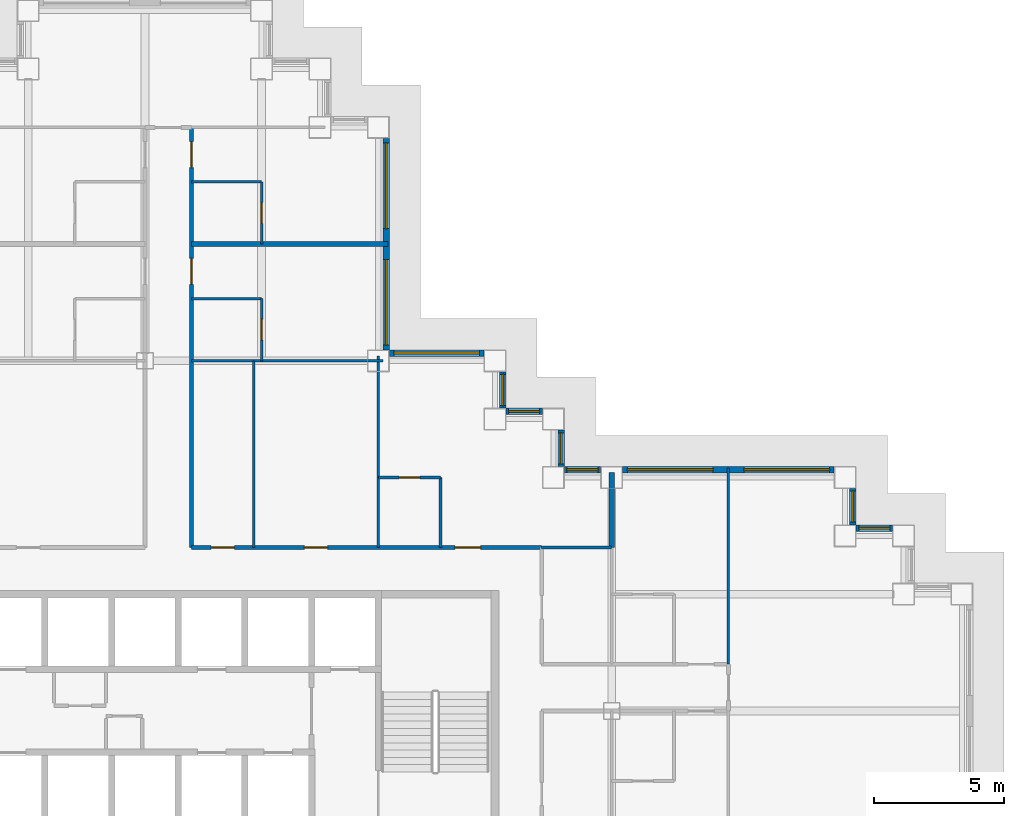
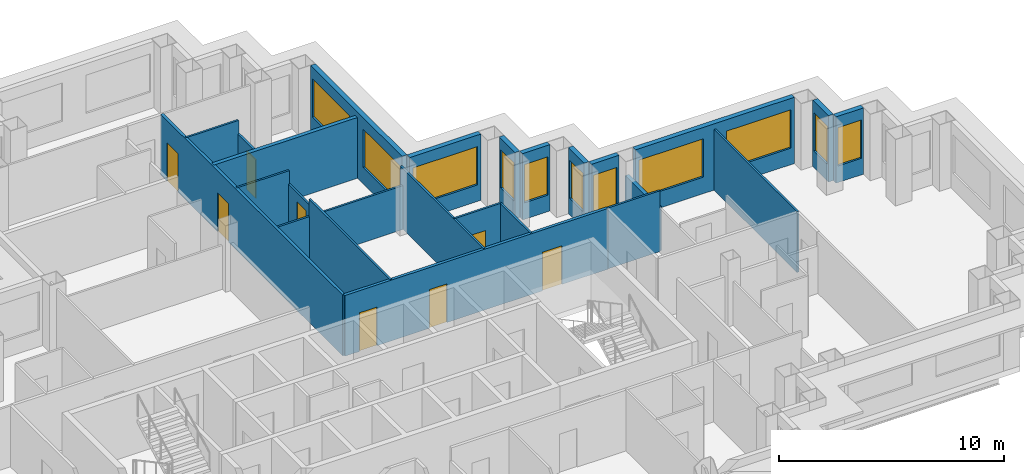
# One storey, part 10 of 16: 24 walls, 11 windows, 8 doors, 19 openings.
"""IFC4 building model written with IfcOpenShell, lengths in metres."""

from ifc_helpers import new_model, si_unit, direction, frame, frame_2d, origin, place, context, subcontext, project, spatial, rectangle, extrude, material, layer, layer_set, type_object, element, fill, save


model = new_model("IFC4")

# Units and contexts
model_context = context("Model", 3, precision=1e-05, world=origin(), true_north=direction((0.0, 1.0)))
body_context = subcontext(model_context, "Body", "Model", "MODEL_VIEW")
ifc_project = project(units=[si_unit("LENGTHUNIT", "METRE"), si_unit("AREAUNIT", "SQUARE_METRE"), si_unit("VOLUMEUNIT", "CUBIC_METRE"), si_unit("PLANEANGLEUNIT", "RADIAN"), si_unit("MASSUNIT", "GRAM", prefix="KILO")], contexts=[model_context])

# Site, building, storey
site_placement = place(None, origin())
site = spatial("IfcSite", under=ifc_project, at=site_placement, CompositionType="ELEMENT")
building_placement = place(site_placement, origin())
building = spatial("IfcBuilding", under=site, at=building_placement, Name="Caravel Reach Hotel and Residences", CompositionType="ELEMENT")
storey_placement = place(building_placement, frame((0.0, 0.0, 133.199951171875)))
storey = spatial("IfcBuildingStorey", under=building, at=storey_placement, Name="L33", CompositionType="ELEMENT", Elevation=133.199951171875)

# Wall, opening, door
ifc_material_1 = material(Name="Gypsum board on steel stud", Category="steel")
ifc_layer_1 = layer(ifc_material_1, 0.10009765625)
ifc_layer_set_1 = layer_set([ifc_layer_1], Name="Bathroom pod wall 100 mm")
wall_type_1 = type_object("IfcWallType", Name="Bathroom pod wall 100 mm", PredefinedType="PARTITIONING", material=ifc_layer_set_1)
wall_1_placement = place(storey_placement, frame((40.5, 36.0, 0.0), z_axis=(0.0, 0.0, 1.0), x_axis=(1.0, 0.0, 0.0)))
wall_1 = element("IfcWall", 1, at=wall_1_placement, inside=storey, type_object=wall_type_1, Name="L33 wall w093", PredefinedType="PARTITIONING", context=body_context, shape_type="SweptSolid", body=[
    extrude(rectangle(XDim=2.39990234375, YDim=0.10009765625, at=frame_2d((1.199951171875, 0.0))), origin(), (0.0, 0.0, 1.0), 3.300048828125),
])
opening_1_placement = place(wall_1_placement, frame((0.800048828125, 0.0, 0.0)))
opening_1 = element("IfcOpeningElement", 2, at=opening_1_placement, cuts=wall_1, Name="Opening D33-051", PredefinedType="OPENING", context=body_context, shape_type="SweptSolid", body=[
    extrude(rectangle(XDim=0.800048828125, YDim=2.10009765625, at=frame_2d((0.39990234375, 1.050048828125))), frame((0.0, 0.06005859375, 0.0), z_axis=(0.0, -1.0, 0.0), x_axis=(1.0, 0.0, 0.0)), (0.0, 0.0, 1.0), 0.1201171875),
])
ifc_material_2 = material(Name="Timber and steel door leaf", Category="steel")
door_type_1 = type_object("IfcDoorType", Name="Bathroom door 800 x 2100", OperationType="SINGLE_SWING_LEFT", PredefinedType="DOOR", material=ifc_material_2)
door_1_placement = place(opening_1_placement, origin())
door_1 = element("IfcDoor", 3, at=door_1_placement, inside=storey, type_object=door_type_1, Name="door D33-051", OperationType="SINGLE_SWING_LEFT", OverallHeight=2.10009765625, OverallWidth=0.800048828125, PredefinedType="DOOR", context=body_context, shape_type="SweptSolid", body=[
    extrude(rectangle(XDim=0.800048828125, YDim=2.10009765625, at=frame_2d((0.39990234375, 1.050048828125))), frame((0.0, 0.02490234375, 0.0), z_axis=(0.0, -1.0, 0.0), x_axis=(1.0, 0.0, 0.0)), (0.0, 0.0, 1.0), 0.050048828125),
])
fill(opening_1, door_1)

# Walls
for number, where, z_axis, x_axis, name in (
    (4, (33.300048828125, 42.89990234375, 0.0), (0.0, 0.0, 1.0), (1.0, 0.0, 0.0), "L33 wall w094"),
    (5, (33.300048828125, 47.39990234375, 0.0), (0.0, 0.0, 1.0), (1.0, 0.0, 0.0), "L33 wall w096"),
):
    element("IfcWall", number, at=place(storey_placement, frame(where, z_axis=z_axis, x_axis=x_axis)), inside=storey, type_object=wall_type_1, Name=name, PredefinedType="PARTITIONING", context=body_context, shape_type="SweptSolid", body=[
        extrude(rectangle(XDim=2.699951171875, YDim=0.10009765625, at=frame_2d((1.35009765625, 0.0))), origin(), (0.0, 0.0, 1.0), 3.300048828125),
    ])

# Wall, opening, door
wall_2_placement = place(storey_placement, frame((36.0, 40.5, 0.0), z_axis=(0.0, 0.0, 1.0), x_axis=(0.0, 1.0, 0.0)))
wall_2 = element("IfcWall", 6, at=wall_2_placement, inside=storey, type_object=wall_type_1, Name="L33 wall w113", PredefinedType="PARTITIONING", context=body_context, shape_type="SweptSolid", body=[
    extrude(rectangle(XDim=2.39990234375, YDim=0.10009765625, at=frame_2d((1.199951171875, 0.0))), origin(), (0.0, 0.0, 1.0), 2.580078125),
])
opening_2_placement = place(wall_2_placement, frame((0.800048828125, 0.0, 0.0)))
opening_2 = element("IfcOpeningElement", 7, at=opening_2_placement, cuts=wall_2, Name="Opening D33-032", PredefinedType="OPENING", context=body_context, shape_type="SweptSolid", body=[
    extrude(rectangle(XDim=0.800048828125, YDim=2.10009765625, at=frame_2d((0.39990234375, 1.050048828125))), frame((0.0, 0.06005859375, 0.0), z_axis=(0.0, -1.0, 0.0), x_axis=(1.0, 0.0, 0.0)), (0.0, 0.0, 1.0), 0.1201171875),
])
door_2_placement = place(opening_2_placement, origin())
door_2 = element("IfcDoor", 8, at=door_2_placement, inside=storey, type_object=door_type_1, Name="door D33-032", OperationType="SINGLE_SWING_LEFT", OverallHeight=2.10009765625, OverallWidth=0.800048828125, PredefinedType="DOOR", context=body_context, shape_type="SweptSolid", body=[
    extrude(rectangle(XDim=0.800048828125, YDim=2.10009765625, at=frame_2d((0.39990234375, 1.050048828125))), frame((0.0, 0.02490234375, 0.0), z_axis=(0.0, -1.0, 0.0), x_axis=(1.0, 0.0, 0.0)), (0.0, 0.0, 1.0), 0.050048828125),
])
fill(opening_2, door_2)

wall_3_placement = place(storey_placement, frame((36.0, 45.0, 0.0), z_axis=(0.0, 0.0, 1.0), x_axis=(0.0, 1.0, 0.0)))
wall_3 = element("IfcWall", 9, at=wall_3_placement, inside=storey, type_object=wall_type_1, Name="L33 wall w114", PredefinedType="PARTITIONING", context=body_context, shape_type="SweptSolid", body=[
    extrude(rectangle(XDim=2.39990234375, YDim=0.10009765625, at=frame_2d((1.199951171875, 0.0))), origin(), (0.0, 0.0, 1.0), 2.580078125),
])
opening_3_placement = place(wall_3_placement, frame((0.800048828125, 0.0, 0.0)))
opening_3 = element("IfcOpeningElement", 10, at=opening_3_placement, cuts=wall_3, Name="Opening D33-034", PredefinedType="OPENING", context=body_context, shape_type="SweptSolid", body=[
    extrude(rectangle(XDim=0.800048828125, YDim=2.10009765625, at=frame_2d((0.39990234375, 1.050048828125))), frame((0.0, 0.06005859375, 0.0), z_axis=(0.0, -1.0, 0.0), x_axis=(1.0, 0.0, 0.0)), (0.0, 0.0, 1.0), 0.1201171875),
])
door_3_placement = place(opening_3_placement, origin())
door_3 = element("IfcDoor", 11, at=door_3_placement, inside=storey, type_object=door_type_1, Name="door D33-034", OperationType="SINGLE_SWING_RIGHT", OverallHeight=2.10009765625, OverallWidth=0.800048828125, PredefinedType="DOOR", context=body_context, shape_type="SweptSolid", body=[
    extrude(rectangle(XDim=0.800048828125, YDim=2.10009765625, at=frame_2d((0.39990234375, 1.050048828125))), frame((0.0, 0.02490234375, 0.0), z_axis=(0.0, -1.0, 0.0), x_axis=(1.0, 0.0, 0.0)), (0.0, 0.0, 1.0), 0.050048828125),
])
fill(opening_3, door_3)

# Wall
wall_4_placement = place(storey_placement, frame((42.89990234375, 33.300048828125, 0.0), z_axis=(0.0, 0.0, 1.0), x_axis=(0.0, 1.0, 0.0)))
element("IfcWall", 12, at=wall_4_placement, inside=storey, type_object=wall_type_1, Name="L33 wall w115", PredefinedType="PARTITIONING", context=body_context, shape_type="SweptSolid", body=[
    extrude(rectangle(XDim=2.699951171875, YDim=0.10009765625, at=frame_2d((1.35009765625, 0.0))), origin(), (0.0, 0.0, 1.0), 3.300048828125),
])

# Wall, openings, doors
ifc_material_3 = material(Name="Gypsum board on steel stud, fire-rated", Category="steel")
ifc_layer_2 = layer(ifc_material_3, 0.14990234375)
ifc_layer_set_2 = layer_set([ifc_layer_2], Name="Corridor wall 150 mm EI 60")
wall_type_2 = type_object("IfcWallType", Name="Corridor wall 150 mm EI 60", PredefinedType="PARTITIONING", material=ifc_layer_set_2)
wall_5_placement = place(storey_placement, frame((33.300048828125, 33.300048828125, 0.0), z_axis=(0.0, 0.0, 1.0), x_axis=(1.0, 0.0, 0.0)))
wall_5 = element("IfcWall", 13, at=wall_5_placement, inside=storey, type_object=wall_type_2, Name="L33 wall w020", PredefinedType="PARTITIONING", context=body_context, shape_type="SweptSolid", body=[
    extrude(rectangle(XDim=13.5, YDim=0.14990234375, at=frame_2d((6.75, 0.0))), origin(), (0.0, 0.0, 1.0), 3.300048828125),
])
opening_4_placement = place(wall_5_placement, frame((10.14990234375, 0.0, 0.0)))
opening_4 = element("IfcOpeningElement", 14, at=opening_4_placement, cuts=wall_5, Name="Opening D33-050", PredefinedType="OPENING", context=body_context, shape_type="SweptSolid", body=[
    extrude(rectangle(XDim=1.0, YDim=2.10009765625, at=frame_2d((0.5, 1.050048828125))), frame((0.0, 0.0849609375, 0.0), z_axis=(0.0, -1.0, 0.0), x_axis=(1.0, 0.0, 0.0)), (0.0, 0.0, 1.0), 0.169921875),
])
opening_5_placement = place(wall_5_placement, frame((0.75, 0.0, 0.0)))
opening_5 = element("IfcOpeningElement", 15, at=opening_5_placement, cuts=wall_5, Name="Opening D33-058", PredefinedType="OPENING", context=body_context, shape_type="SweptSolid", body=[
    extrude(rectangle(XDim=0.89990234375, YDim=2.10009765625, at=frame_2d((0.449951171875, 1.050048828125))), frame((0.0, 0.0849609375, 0.0), z_axis=(0.0, -1.0, 0.0), x_axis=(1.0, 0.0, 0.0)), (0.0, 0.0, 1.0), 0.169921875),
])
opening_6_placement = place(wall_5_placement, frame((4.349853515625, 0.0, 0.0)))
opening_6 = element("IfcOpeningElement", 16, at=opening_6_placement, cuts=wall_5, Name="Opening D33-059", PredefinedType="OPENING", context=body_context, shape_type="SweptSolid", body=[
    extrude(rectangle(XDim=0.89990234375, YDim=2.10009765625, at=frame_2d((0.449951171875, 1.050048828125))), frame((0.0, 0.0849609375, 0.0), z_axis=(0.0, -1.0, 0.0), x_axis=(1.0, 0.0, 0.0)), (0.0, 0.0, 1.0), 0.169921875),
])
ifc_material_4 = material(Name="Timber and steel door leaf", Category="steel")
door_type_2 = type_object("IfcDoorType", Name="Door 900 x 2100 timber", OperationType="SINGLE_SWING_LEFT", PredefinedType="DOOR", material=ifc_material_4)
door_4_placement = place(opening_5_placement, origin())
door_4 = element("IfcDoor", 17, at=door_4_placement, inside=storey, type_object=door_type_2, Name="door D33-058", OperationType="SINGLE_SWING_RIGHT", OverallHeight=2.10009765625, OverallWidth=0.89990234375, PredefinedType="DOOR", context=body_context, shape_type="SweptSolid", body=[
    extrude(rectangle(XDim=0.89990234375, YDim=2.10009765625, at=frame_2d((0.449951171875, 1.050048828125))), frame((0.0, 0.02490234375, 0.0), z_axis=(0.0, -1.0, 0.0), x_axis=(1.0, 0.0, 0.0)), (0.0, 0.0, 1.0), 0.050048828125),
])
fill(opening_5, door_4)
door_5_placement = place(opening_6_placement, origin())
door_5 = element("IfcDoor", 18, at=door_5_placement, inside=storey, type_object=door_type_2, Name="door D33-059", OperationType="SINGLE_SWING_LEFT", OverallHeight=2.10009765625, OverallWidth=0.89990234375, PredefinedType="DOOR", context=body_context, shape_type="SweptSolid", body=[
    extrude(rectangle(XDim=0.89990234375, YDim=2.10009765625, at=frame_2d((0.449951171875, 1.050048828125))), frame((0.0, 0.02490234375, 0.0), z_axis=(0.0, -1.0, 0.0), x_axis=(1.0, 0.0, 0.0)), (0.0, 0.0, 1.0), 0.050048828125),
])
fill(opening_6, door_5)
ifc_material_5 = material(Name="Steel fire door leaf", Category="steel")
door_type_3 = type_object("IfcDoorType", Name="Guest room door 1000 x 2100 EI 30", OperationType="SINGLE_SWING_LEFT", PredefinedType="DOOR", material=ifc_material_5)
door_6_placement = place(opening_4_placement, origin())
door_6 = element("IfcDoor", 19, at=door_6_placement, inside=storey, type_object=door_type_3, Name="door D33-050", OperationType="SINGLE_SWING_RIGHT", OverallHeight=2.10009765625, OverallWidth=1.0, PredefinedType="DOOR", context=body_context, shape_type="SweptSolid", body=[
    extrude(rectangle(XDim=1.0, YDim=2.10009765625, at=frame_2d((0.5, 1.050048828125))), frame((0.0, 0.02490234375, 0.0), z_axis=(0.0, -1.0, 0.0), x_axis=(1.0, 0.0, 0.0)), (0.0, 0.0, 1.0), 0.050048828125),
])
fill(opening_4, door_6)

wall_6_placement = place(storey_placement, frame((33.300048828125, 33.300048828125, 0.0), z_axis=(0.0, 0.0, 1.0), x_axis=(0.0, 1.0, 0.0)))
wall_6 = element("IfcWall", 20, at=wall_6_placement, inside=storey, type_object=wall_type_2, Name="L33 wall w037", PredefinedType="PARTITIONING", context=body_context, shape_type="SweptSolid", body=[
    extrude(rectangle(XDim=16.199951171875, YDim=0.14990234375, at=frame_2d((8.10009765625, 0.0))), origin(), (0.0, 0.0, 1.0), 3.300048828125),
])
opening_7_placement = place(wall_6_placement, frame((10.14990234375, 0.0, 0.0)))
opening_7 = element("IfcOpeningElement", 21, at=opening_7_placement, cuts=wall_6, Name="Opening D33-031", PredefinedType="OPENING", context=body_context, shape_type="SweptSolid", body=[
    extrude(rectangle(XDim=1.0, YDim=2.10009765625, at=frame_2d((0.5, 1.050048828125))), frame((0.0, 0.0849609375, 0.0), z_axis=(0.0, -1.0, 0.0), x_axis=(1.0, 0.0, 0.0)), (0.0, 0.0, 1.0), 0.169921875),
])
opening_8_placement = place(wall_6_placement, frame((14.64990234375, 0.0, 0.0)))
opening_8 = element("IfcOpeningElement", 22, at=opening_8_placement, cuts=wall_6, Name="Opening D33-033", PredefinedType="OPENING", context=body_context, shape_type="SweptSolid", body=[
    extrude(rectangle(XDim=1.0, YDim=2.10009765625, at=frame_2d((0.5, 1.050048828125))), frame((0.0, 0.0849609375, 0.0), z_axis=(0.0, -1.0, 0.0), x_axis=(1.0, 0.0, 0.0)), (0.0, 0.0, 1.0), 0.169921875),
])
door_7_placement = place(opening_7_placement, origin())
door_7 = element("IfcDoor", 23, at=door_7_placement, inside=storey, type_object=door_type_3, Name="door D33-031", OperationType="SINGLE_SWING_RIGHT", OverallHeight=2.10009765625, OverallWidth=1.0, PredefinedType="DOOR", context=body_context, shape_type="SweptSolid", body=[
    extrude(rectangle(XDim=1.0, YDim=2.10009765625, at=frame_2d((0.5, 1.050048828125))), frame((0.0, 0.02490234375, 0.0), z_axis=(0.0, -1.0, 0.0), x_axis=(1.0, 0.0, 0.0)), (0.0, 0.0, 1.0), 0.050048828125),
])
fill(opening_7, door_7)
door_8_placement = place(opening_8_placement, origin())
door_8 = element("IfcDoor", 24, at=door_8_placement, inside=storey, type_object=door_type_3, Name="door D33-033", OperationType="SINGLE_SWING_RIGHT", OverallHeight=2.10009765625, OverallWidth=1.0, PredefinedType="DOOR", context=body_context, shape_type="SweptSolid", body=[
    extrude(rectangle(XDim=1.0, YDim=2.10009765625, at=frame_2d((0.5, 1.050048828125))), frame((0.0, 0.02490234375, 0.0), z_axis=(0.0, -1.0, 0.0), x_axis=(1.0, 0.0, 0.0)), (0.0, 0.0, 1.0), 0.050048828125),
])
fill(opening_8, door_8)

# Wall, opening, window
ifc_material_6 = material(Name="Insulated rainscreen wall, aluminium cladding", Category="aluminium")
ifc_layer_3 = layer(ifc_material_6, 0.25)
ifc_layer_set_3 = layer_set([ifc_layer_3], Name="EW1 Tower rainscreen wall")
wall_type_3 = type_object("IfcWallType", Name="EW1 Tower rainscreen wall", PredefinedType="SOLIDWALL", material=ifc_layer_set_3)
wall_7_placement = place(storey_placement, frame((60.324951171875, 34.050048828125, 0.0), z_axis=(0.0, 0.0, 1.0), x_axis=(-1.0, 0.0, 0.0)))
wall_7 = element("IfcWall", 25, at=wall_7_placement, inside=storey, type_object=wall_type_3, Name="External wall L33 N23.1", PredefinedType="SOLIDWALL", context=body_context, shape_type="SweptSolid", body=[
    extrude(rectangle(XDim=1.39990234375, YDim=0.25, at=frame_2d((0.699951171875, 0.0))), origin(), (0.0, 0.0, 1.0), 3.60009765625),
])
opening_9_placement = place(wall_7_placement, frame((0.10009765625, 0.0, 0.89990234375)))
opening_9 = element("IfcOpeningElement", 26, at=opening_9_placement, cuts=wall_7, Name="Opening WN9", PredefinedType="OPENING", context=body_context, shape_type="SweptSolid", body=[
    extrude(rectangle(XDim=1.199951171875, YDim=2.080078125, at=frame_2d((0.60009765625, 1.0400390625))), frame((0.0, 0.135009765625, 0.0), z_axis=(0.0, -1.0, 0.0), x_axis=(1.0, 0.0, 0.0)), (0.0, 0.0, 1.0), 0.27001953125),
])
ifc_material_7 = material(Name="Dark low-e glazing in black aluminium frame", Category="aluminium")
window_type_1 = type_object("IfcWindowType", Name="Hotel suite corner window 1200 x 2080", PartitioningType="SINGLE_PANEL", PredefinedType="WINDOW", material=ifc_material_7)
window_1_placement = place(opening_9_placement, origin())
window_1 = element("IfcWindow", 27, at=window_1_placement, inside=storey, type_object=window_type_1, Name="Window L33 N23.1.1", OverallHeight=2.080078125, OverallWidth=1.199951171875, PartitioningType="SINGLE_PANEL", PredefinedType="WINDOW", context=body_context, shape_type="SweptSolid", body=[
    extrude(rectangle(XDim=1.199951171875, YDim=2.080078125, at=frame_2d((0.60009765625, 1.0400390625))), frame((0.0, 0.030029296875, 0.0), z_axis=(0.0, -1.0, 0.0), x_axis=(1.0, 0.0, 0.0)), (0.0, 0.0, 1.0), 0.06005859375),
])
fill(opening_9, window_1)

wall_8_placement = place(storey_placement, frame((58.800048828125, 34.175048828125, 0.0), z_axis=(0.0, 0.0, 1.0), x_axis=(0.0, 1.0, 0.0)))
wall_8 = element("IfcWall", 28, at=wall_8_placement, inside=storey, type_object=wall_type_3, Name="External wall L33 E24.1", PredefinedType="SOLIDWALL", context=body_context, shape_type="SweptSolid", body=[
    extrude(rectangle(XDim=1.39990234375, YDim=0.25, at=frame_2d((0.699951171875, 0.0))), origin(), (0.0, 0.0, 1.0), 3.60009765625),
])
opening_10_placement = place(wall_8_placement, frame((0.10009765625, 0.0, 0.89990234375)))
opening_10 = element("IfcOpeningElement", 29, at=opening_10_placement, cuts=wall_8, Name="Opening WN9", PredefinedType="OPENING", context=body_context, shape_type="SweptSolid", body=[
    extrude(rectangle(XDim=1.199951171875, YDim=2.080078125, at=frame_2d((0.60009765625, 1.0400390625))), frame((0.0, 0.135009765625, 0.0), z_axis=(0.0, -1.0, 0.0), x_axis=(1.0, 0.0, 0.0)), (0.0, 0.0, 1.0), 0.27001953125),
])
window_2_placement = place(opening_10_placement, origin())
window_2 = element("IfcWindow", 30, at=window_2_placement, inside=storey, type_object=window_type_1, Name="Window L33 E24.1.1", OverallHeight=2.080078125, OverallWidth=1.199951171875, PartitioningType="SINGLE_PANEL", PredefinedType="WINDOW", context=body_context, shape_type="SweptSolid", body=[
    extrude(rectangle(XDim=1.199951171875, YDim=2.080078125, at=frame_2d((0.60009765625, 1.0400390625))), frame((0.0, 0.030029296875, 0.0), z_axis=(0.0, -1.0, 0.0), x_axis=(1.0, 0.0, 0.0)), (0.0, 0.0, 1.0), 0.06005859375),
])
fill(opening_10, window_2)

# Wall, openings, windows
wall_9_placement = place(storey_placement, frame((58.074951171875, 36.300048828125, 0.0), z_axis=(0.0, 0.0, 1.0), x_axis=(-1.0, 0.0, 0.0)))
wall_9 = element("IfcWall", 31, at=wall_9_placement, inside=storey, type_object=wall_type_3, Name="External wall L33 N25.1", PredefinedType="SOLIDWALL", context=body_context, shape_type="SweptSolid", body=[
    extrude(rectangle(XDim=8.14990234375, YDim=0.25, at=frame_2d((4.074951171875, 0.0))), origin(), (0.0, 0.0, 1.0), 3.60009765625),
])
opening_11_placement = place(wall_9_placement, frame((0.175048828125, 0.0, 0.89990234375)))
opening_11 = element("IfcOpeningElement", 32, at=opening_11_placement, cuts=wall_9, Name="Opening WN4", PredefinedType="OPENING", context=body_context, shape_type="SweptSolid", body=[
    extrude(rectangle(XDim=3.300048828125, YDim=2.080078125, at=frame_2d((1.64990234375, 1.0400390625))), frame((0.0, 0.135009765625, 0.0), z_axis=(0.0, -1.0, 0.0), x_axis=(1.0, 0.0, 0.0)), (0.0, 0.0, 1.0), 0.27001953125),
])
opening_12_placement = place(wall_9_placement, frame((4.675048828125, 0.0, 0.89990234375)))
opening_12 = element("IfcOpeningElement", 33, at=opening_12_placement, cuts=wall_9, Name="Opening WN4", PredefinedType="OPENING", context=body_context, shape_type="SweptSolid", body=[
    extrude(rectangle(XDim=3.300048828125, YDim=2.080078125, at=frame_2d((1.64990234375, 1.0400390625))), frame((0.0, 0.135009765625, 0.0), z_axis=(0.0, -1.0, 0.0), x_axis=(1.0, 0.0, 0.0)), (0.0, 0.0, 1.0), 0.27001953125),
])
ifc_material_8 = material(Name="Dark low-e glazing in black aluminium frame", Category="aluminium")
window_type_2 = type_object("IfcWindowType", Name="Hotel guest room window 3300 x 2080", PartitioningType="SINGLE_PANEL", PredefinedType="WINDOW", material=ifc_material_8)
window_3_placement = place(opening_11_placement, origin())
window_3 = element("IfcWindow", 34, at=window_3_placement, inside=storey, type_object=window_type_2, Name="Window L33 N25.1.1", OverallHeight=2.080078125, OverallWidth=3.300048828125, PartitioningType="SINGLE_PANEL", PredefinedType="WINDOW", context=body_context, shape_type="SweptSolid", body=[
    extrude(rectangle(XDim=3.300048828125, YDim=2.080078125, at=frame_2d((1.64990234375, 1.0400390625))), frame((0.0, 0.030029296875, 0.0), z_axis=(0.0, -1.0, 0.0), x_axis=(1.0, 0.0, 0.0)), (0.0, 0.0, 1.0), 0.06005859375),
])
fill(opening_11, window_3)
window_4_placement = place(opening_12_placement, origin())
window_4 = element("IfcWindow", 35, at=window_4_placement, inside=storey, type_object=window_type_2, Name="Window L33 N25.1.2", OverallHeight=2.080078125, OverallWidth=3.300048828125, PartitioningType="SINGLE_PANEL", PredefinedType="WINDOW", context=body_context, shape_type="SweptSolid", body=[
    extrude(rectangle(XDim=3.300048828125, YDim=2.080078125, at=frame_2d((1.64990234375, 1.0400390625))), frame((0.0, 0.030029296875, 0.0), z_axis=(0.0, -1.0, 0.0), x_axis=(1.0, 0.0, 0.0)), (0.0, 0.0, 1.0), 0.06005859375),
])
fill(opening_12, window_4)

# Wall, opening, window
wall_10_placement = place(storey_placement, frame((49.074951171875, 36.300048828125, 0.0), z_axis=(0.0, 0.0, 1.0), x_axis=(-1.0, 0.0, 0.0)))
wall_10 = element("IfcWall", 36, at=wall_10_placement, inside=storey, type_object=wall_type_3, Name="External wall L33 N25.2", PredefinedType="SOLIDWALL", context=body_context, shape_type="SweptSolid", body=[
    extrude(rectangle(XDim=1.39990234375, YDim=0.25, at=frame_2d((0.699951171875, 0.0))), origin(), (0.0, 0.0, 1.0), 3.60009765625),
])
opening_13_placement = place(wall_10_placement, frame((0.10009765625, 0.0, 0.89990234375)))
opening_13 = element("IfcOpeningElement", 37, at=opening_13_placement, cuts=wall_10, Name="Opening WN9", PredefinedType="OPENING", context=body_context, shape_type="SweptSolid", body=[
    extrude(rectangle(XDim=1.199951171875, YDim=2.080078125, at=frame_2d((0.60009765625, 1.0400390625))), frame((0.0, 0.135009765625, 0.0), z_axis=(0.0, -1.0, 0.0), x_axis=(1.0, 0.0, 0.0)), (0.0, 0.0, 1.0), 0.27001953125),
])
window_5_placement = place(opening_13_placement, origin())
window_5 = element("IfcWindow", 38, at=window_5_placement, inside=storey, type_object=window_type_1, Name="Window L33 N25.2.1", OverallHeight=2.080078125, OverallWidth=1.199951171875, PartitioningType="SINGLE_PANEL", PredefinedType="WINDOW", context=body_context, shape_type="SweptSolid", body=[
    extrude(rectangle(XDim=1.199951171875, YDim=2.080078125, at=frame_2d((0.60009765625, 1.0400390625))), frame((0.0, 0.030029296875, 0.0), z_axis=(0.0, -1.0, 0.0), x_axis=(1.0, 0.0, 0.0)), (0.0, 0.0, 1.0), 0.06005859375),
])
fill(opening_13, window_5)

wall_11_placement = place(storey_placement, frame((47.550048828125, 36.425048828125, 0.0), z_axis=(0.0, 0.0, 1.0), x_axis=(0.0, 1.0, 0.0)))
wall_11 = element("IfcWall", 39, at=wall_11_placement, inside=storey, type_object=wall_type_3, Name="External wall L33 E26.1", PredefinedType="SOLIDWALL", context=body_context, shape_type="SweptSolid", body=[
    extrude(rectangle(XDim=1.39990234375, YDim=0.25, at=frame_2d((0.699951171875, 0.0))), origin(), (0.0, 0.0, 1.0), 3.60009765625),
])
opening_14_placement = place(wall_11_placement, frame((0.10009765625, 0.0, 0.89990234375)))
opening_14 = element("IfcOpeningElement", 40, at=opening_14_placement, cuts=wall_11, Name="Opening WN9", PredefinedType="OPENING", context=body_context, shape_type="SweptSolid", body=[
    extrude(rectangle(XDim=1.199951171875, YDim=2.080078125, at=frame_2d((0.60009765625, 1.0400390625))), frame((0.0, 0.135009765625, 0.0), z_axis=(0.0, -1.0, 0.0), x_axis=(1.0, 0.0, 0.0)), (0.0, 0.0, 1.0), 0.27001953125),
])
window_6_placement = place(opening_14_placement, origin())
window_6 = element("IfcWindow", 41, at=window_6_placement, inside=storey, type_object=window_type_1, Name="Window L33 E26.1.1", OverallHeight=2.080078125, OverallWidth=1.199951171875, PartitioningType="SINGLE_PANEL", PredefinedType="WINDOW", context=body_context, shape_type="SweptSolid", body=[
    extrude(rectangle(XDim=1.199951171875, YDim=2.080078125, at=frame_2d((0.60009765625, 1.0400390625))), frame((0.0, 0.030029296875, 0.0), z_axis=(0.0, -1.0, 0.0), x_axis=(1.0, 0.0, 0.0)), (0.0, 0.0, 1.0), 0.06005859375),
])
fill(opening_14, window_6)

wall_12_placement = place(storey_placement, frame((46.824951171875, 38.550048828125, 0.0), z_axis=(0.0, 0.0, 1.0), x_axis=(-1.0, 0.0, 0.0)))
wall_12 = element("IfcWall", 42, at=wall_12_placement, inside=storey, type_object=wall_type_3, Name="External wall L33 N27.1", PredefinedType="SOLIDWALL", context=body_context, shape_type="SweptSolid", body=[
    extrude(rectangle(XDim=1.39990234375, YDim=0.25, at=frame_2d((0.699951171875, 0.0))), origin(), (0.0, 0.0, 1.0), 3.60009765625),
])
opening_15_placement = place(wall_12_placement, frame((0.10009765625, 0.0, 0.89990234375)))
opening_15 = element("IfcOpeningElement", 43, at=opening_15_placement, cuts=wall_12, Name="Opening WN9", PredefinedType="OPENING", context=body_context, shape_type="SweptSolid", body=[
    extrude(rectangle(XDim=1.199951171875, YDim=2.080078125, at=frame_2d((0.60009765625, 1.0400390625))), frame((0.0, 0.135009765625, 0.0), z_axis=(0.0, -1.0, 0.0), x_axis=(1.0, 0.0, 0.0)), (0.0, 0.0, 1.0), 0.27001953125),
])
window_7_placement = place(opening_15_placement, origin())
window_7 = element("IfcWindow", 44, at=window_7_placement, inside=storey, type_object=window_type_1, Name="Window L33 N27.1.1", OverallHeight=2.080078125, OverallWidth=1.199951171875, PartitioningType="SINGLE_PANEL", PredefinedType="WINDOW", context=body_context, shape_type="SweptSolid", body=[
    extrude(rectangle(XDim=1.199951171875, YDim=2.080078125, at=frame_2d((0.60009765625, 1.0400390625))), frame((0.0, 0.030029296875, 0.0), z_axis=(0.0, -1.0, 0.0), x_axis=(1.0, 0.0, 0.0)), (0.0, 0.0, 1.0), 0.06005859375),
])
fill(opening_15, window_7)

wall_13_placement = place(storey_placement, frame((45.300048828125, 38.675048828125, 0.0), z_axis=(0.0, 0.0, 1.0), x_axis=(0.0, 1.0, 0.0)))
wall_13 = element("IfcWall", 45, at=wall_13_placement, inside=storey, type_object=wall_type_3, Name="External wall L33 E28.1", PredefinedType="SOLIDWALL", context=body_context, shape_type="SweptSolid", body=[
    extrude(rectangle(XDim=1.39990234375, YDim=0.25, at=frame_2d((0.699951171875, 0.0))), origin(), (0.0, 0.0, 1.0), 3.60009765625),
])
opening_16_placement = place(wall_13_placement, frame((0.10009765625, 0.0, 0.89990234375)))
opening_16 = element("IfcOpeningElement", 46, at=opening_16_placement, cuts=wall_13, Name="Opening WN9", PredefinedType="OPENING", context=body_context, shape_type="SweptSolid", body=[
    extrude(rectangle(XDim=1.199951171875, YDim=2.080078125, at=frame_2d((0.60009765625, 1.0400390625))), frame((0.0, 0.135009765625, 0.0), z_axis=(0.0, -1.0, 0.0), x_axis=(1.0, 0.0, 0.0)), (0.0, 0.0, 1.0), 0.27001953125),
])
window_8_placement = place(opening_16_placement, origin())
window_8 = element("IfcWindow", 47, at=window_8_placement, inside=storey, type_object=window_type_1, Name="Window L33 E28.1.1", OverallHeight=2.080078125, OverallWidth=1.199951171875, PartitioningType="SINGLE_PANEL", PredefinedType="WINDOW", context=body_context, shape_type="SweptSolid", body=[
    extrude(rectangle(XDim=1.199951171875, YDim=2.080078125, at=frame_2d((0.60009765625, 1.0400390625))), frame((0.0, 0.030029296875, 0.0), z_axis=(0.0, -1.0, 0.0), x_axis=(1.0, 0.0, 0.0)), (0.0, 0.0, 1.0), 0.06005859375),
])
fill(opening_16, window_8)

wall_14_placement = place(storey_placement, frame((44.574951171875, 40.800048828125, 0.0), z_axis=(0.0, 0.0, 1.0), x_axis=(-1.0, 0.0, 0.0)))
wall_14 = element("IfcWall", 48, at=wall_14_placement, inside=storey, type_object=wall_type_3, Name="External wall L33 N29.1", PredefinedType="SOLIDWALL", context=body_context, shape_type="SweptSolid", body=[
    extrude(rectangle(XDim=3.64990234375, YDim=0.25, at=frame_2d((1.824951171875, 0.0))), origin(), (0.0, 0.0, 1.0), 3.60009765625),
])
opening_17_placement = place(wall_14_placement, frame((0.175048828125, 0.0, 0.89990234375)))
opening_17 = element("IfcOpeningElement", 49, at=opening_17_placement, cuts=wall_14, Name="Opening WN4", PredefinedType="OPENING", context=body_context, shape_type="SweptSolid", body=[
    extrude(rectangle(XDim=3.300048828125, YDim=2.080078125, at=frame_2d((1.64990234375, 1.0400390625))), frame((0.0, 0.135009765625, 0.0), z_axis=(0.0, -1.0, 0.0), x_axis=(1.0, 0.0, 0.0)), (0.0, 0.0, 1.0), 0.27001953125),
])
window_9_placement = place(opening_17_placement, origin())
window_9 = element("IfcWindow", 50, at=window_9_placement, inside=storey, type_object=window_type_2, Name="Window L33 N29.1.1", OverallHeight=2.080078125, OverallWidth=3.300048828125, PartitioningType="SINGLE_PANEL", PredefinedType="WINDOW", context=body_context, shape_type="SweptSolid", body=[
    extrude(rectangle(XDim=3.300048828125, YDim=2.080078125, at=frame_2d((1.64990234375, 1.0400390625))), frame((0.0, 0.030029296875, 0.0), z_axis=(0.0, -1.0, 0.0), x_axis=(1.0, 0.0, 0.0)), (0.0, 0.0, 1.0), 0.06005859375),
])
fill(opening_17, window_9)

# Wall, openings, windows
wall_15_placement = place(storey_placement, frame((40.800048828125, 40.925048828125, 0.0), z_axis=(0.0, 0.0, 1.0), x_axis=(0.0, 1.0, 0.0)))
wall_15 = element("IfcWall", 51, at=wall_15_placement, inside=storey, type_object=wall_type_3, Name="External wall L33 E30.1", PredefinedType="SOLIDWALL", context=body_context, shape_type="SweptSolid", body=[
    extrude(rectangle(XDim=8.14990234375, YDim=0.25, at=frame_2d((4.074951171875, 0.0))), origin(), (0.0, 0.0, 1.0), 3.60009765625),
])
opening_18_placement = place(wall_15_placement, frame((0.175048828125, 0.0, 0.89990234375)))
opening_18 = element("IfcOpeningElement", 52, at=opening_18_placement, cuts=wall_15, Name="Opening WN4", PredefinedType="OPENING", context=body_context, shape_type="SweptSolid", body=[
    extrude(rectangle(XDim=3.300048828125, YDim=2.080078125, at=frame_2d((1.64990234375, 1.0400390625))), frame((0.0, 0.135009765625, 0.0), z_axis=(0.0, -1.0, 0.0), x_axis=(1.0, 0.0, 0.0)), (0.0, 0.0, 1.0), 0.27001953125),
])
opening_19_placement = place(wall_15_placement, frame((4.675048828125, 0.0, 0.89990234375)))
opening_19 = element("IfcOpeningElement", 53, at=opening_19_placement, cuts=wall_15, Name="Opening WN4", PredefinedType="OPENING", context=body_context, shape_type="SweptSolid", body=[
    extrude(rectangle(XDim=3.300048828125, YDim=2.080078125, at=frame_2d((1.64990234375, 1.0400390625))), frame((0.0, 0.135009765625, 0.0), z_axis=(0.0, -1.0, 0.0), x_axis=(1.0, 0.0, 0.0)), (0.0, 0.0, 1.0), 0.27001953125),
])
window_10_placement = place(opening_18_placement, origin())
window_10 = element("IfcWindow", 54, at=window_10_placement, inside=storey, type_object=window_type_2, Name="Window L33 E30.1.1", OverallHeight=2.080078125, OverallWidth=3.300048828125, PartitioningType="SINGLE_PANEL", PredefinedType="WINDOW", context=body_context, shape_type="SweptSolid", body=[
    extrude(rectangle(XDim=3.300048828125, YDim=2.080078125, at=frame_2d((1.64990234375, 1.0400390625))), frame((0.0, 0.030029296875, 0.0), z_axis=(0.0, -1.0, 0.0), x_axis=(1.0, 0.0, 0.0)), (0.0, 0.0, 1.0), 0.06005859375),
])
fill(opening_18, window_10)
window_11_placement = place(opening_19_placement, origin())
window_11 = element("IfcWindow", 55, at=window_11_placement, inside=storey, type_object=window_type_2, Name="Window L33 E30.1.2", OverallHeight=2.080078125, OverallWidth=3.300048828125, PartitioningType="SINGLE_PANEL", PredefinedType="WINDOW", context=body_context, shape_type="SweptSolid", body=[
    extrude(rectangle(XDim=3.300048828125, YDim=2.080078125, at=frame_2d((1.64990234375, 1.0400390625))), frame((0.0, 0.030029296875, 0.0), z_axis=(0.0, -1.0, 0.0), x_axis=(1.0, 0.0, 0.0)), (0.0, 0.0, 1.0), 0.06005859375),
])
fill(opening_19, window_11)

# Walls
ifc_material_9 = material(Name="Gypsum board on steel stud", Category="steel")
ifc_layer_4 = layer(ifc_material_9, 0.10009765625)
ifc_layer_set_4 = layer_set([ifc_layer_4], Name="Partition 100 mm")
wall_type_4 = type_object("IfcWallType", Name="Partition 100 mm", PredefinedType="PARTITIONING", material=ifc_layer_set_4)
wall_16_placement = place(storey_placement, frame((46.800048828125, 33.300048828125, 0.0), z_axis=(0.0, 0.0, 1.0), x_axis=(1.0, 0.0, 0.0)))
element("IfcWall", 56, at=wall_16_placement, inside=storey, type_object=wall_type_4, Name="L33 wall w048", PredefinedType="PARTITIONING", context=body_context, shape_type="SweptSolid", body=[
    extrude(rectangle(XDim=2.699951171875, YDim=0.10009765625, at=frame_2d((1.35009765625, 0.0))), origin(), (0.0, 0.0, 1.0), 3.300048828125),
])
wall_17_placement = place(storey_placement, frame((33.300048828125, 40.5, 0.0), z_axis=(0.0, 0.0, 1.0), x_axis=(1.0, 0.0, 0.0)))
element("IfcWall", 57, at=wall_17_placement, inside=storey, type_object=wall_type_4, Name="L33 wall w049", PredefinedType="PARTITIONING", context=body_context, shape_type="SweptSolid", body=[
    extrude(rectangle(XDim=7.389892578125, YDim=0.10009765625, at=frame_2d((3.69482421875, 0.0))), origin(), (0.0, 0.0, 1.0), 2.380126953125),
])
wall_18_placement = place(storey_placement, frame((35.699951171875, 33.300048828125, 0.0), z_axis=(0.0, 0.0, 1.0), x_axis=(0.0, 1.0, 0.0)))
element("IfcWall", 58, at=wall_18_placement, inside=storey, type_object=wall_type_4, Name="L33 wall w060", PredefinedType="PARTITIONING", context=body_context, shape_type="SweptSolid", body=[
    extrude(rectangle(XDim=7.199951171875, YDim=0.10009765625, at=frame_2d((3.60009765625, 0.0))), origin(), (0.0, 0.0, 1.0), 3.300048828125),
])
wall_19_placement = place(storey_placement, frame((40.5, 33.300048828125, 0.0), z_axis=(0.0, 0.0, 1.0), x_axis=(0.0, 1.0, 0.0)))
element("IfcWall", 59, at=wall_19_placement, inside=storey, type_object=wall_type_4, Name="L33 wall w061", PredefinedType="PARTITIONING", context=body_context, shape_type="SweptSolid", body=[
    extrude(rectangle(XDim=7.389892578125, YDim=0.10009765625, at=frame_2d((3.69482421875, 0.0))), origin(), (0.0, 0.0, 1.0), 3.300048828125),
])
wall_20_placement = place(storey_placement, frame((54.0, 28.800048828125, 0.0), z_axis=(0.0, 0.0, 1.0), x_axis=(0.0, 1.0, 0.0)))
element("IfcWall", 60, at=wall_20_placement, inside=storey, type_object=wall_type_4, Name="L33 wall w067", PredefinedType="PARTITIONING", context=body_context, shape_type="SweptSolid", body=[
    extrude(rectangle(XDim=7.56494140625, YDim=0.10009765625, at=frame_2d((3.782470703125, 0.0))), origin(), (0.0, 0.0, 1.0), 3.300048828125),
])
ifc_material_10 = material(Name="Autoclaved aerated block wall")
ifc_layer_5 = layer(ifc_material_10, 0.199951171875)
ifc_layer_set_5 = layer_set([ifc_layer_5], Name="Party wall 200 mm EI 60")
wall_type_5 = type_object("IfcWallType", Name="Party wall 200 mm EI 60", PredefinedType="PARTITIONING", material=ifc_layer_set_5)
wall_21_placement = place(storey_placement, frame((33.300048828125, 45.0, 0.0), z_axis=(0.0, 0.0, 1.0), x_axis=(1.0, 0.0, 0.0)))
element("IfcWall", 61, at=wall_21_placement, inside=storey, type_object=wall_type_5, Name="L33 wall w072", PredefinedType="PARTITIONING", context=body_context, shape_type="SweptSolid", body=[
    extrude(rectangle(XDim=7.56494140625, YDim=0.199951171875, at=frame_2d((3.782470703125, 0.0))), origin(), (0.0, 0.0, 1.0), 3.300048828125),
])
wall_22_placement = place(storey_placement, frame((49.5, 33.300048828125, 0.0), z_axis=(0.0, 0.0, 1.0), x_axis=(0.0, 1.0, 0.0)))
element("IfcWall", 62, at=wall_22_placement, inside=storey, type_object=wall_type_5, Name="L33 wall w079", PredefinedType="PARTITIONING", context=body_context, shape_type="SweptSolid", body=[
    extrude(rectangle(XDim=2.889892578125, YDim=0.199951171875, at=frame_2d((1.44482421875, 0.0))), origin(), (0.0, 0.0, 1.0), 2.380126953125),
])

save(model, "model.ifc")
